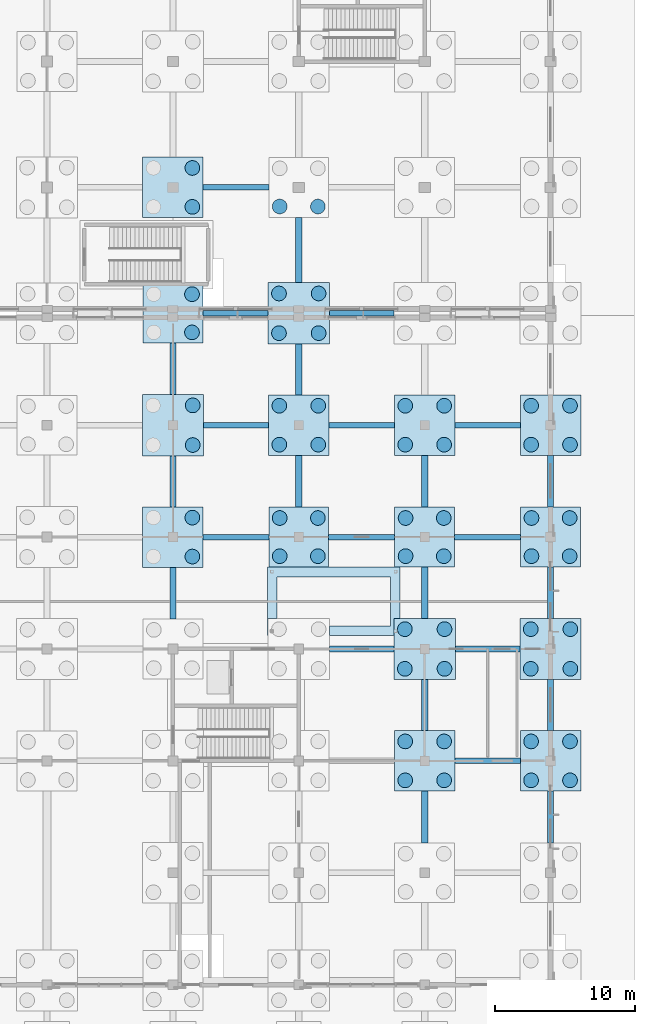
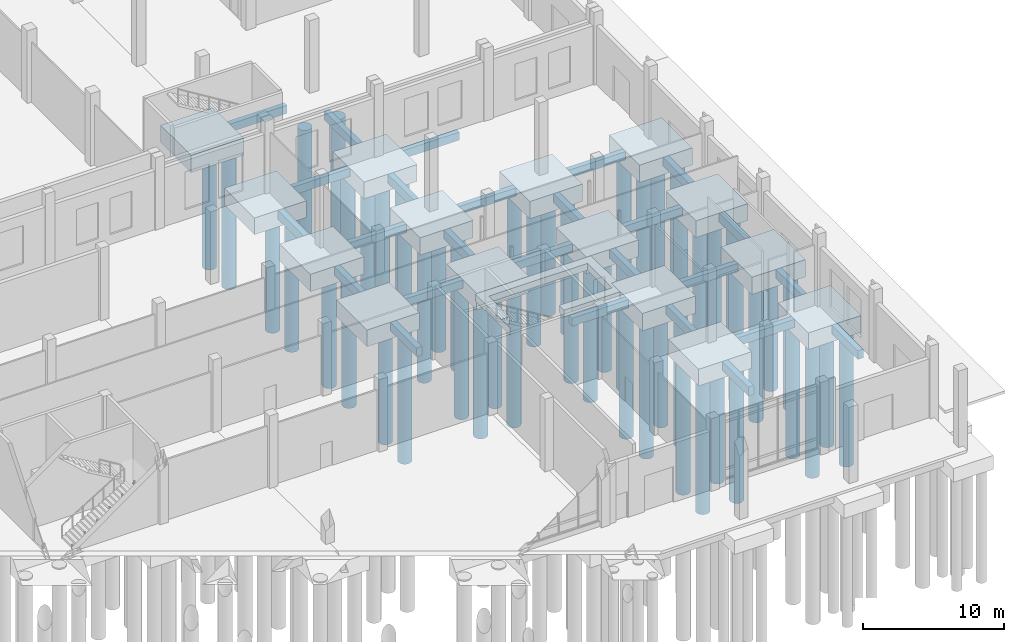
# One storey, part 17 of 99: 54 piles, 42 footings.
"""IFC4 building model written with IfcOpenShell, lengths in metres."""

import ifcopenshell
import ifcopenshell.guid

model = None  # the IFC model being written
_history = None  # IfcOwnerHistory: only IFC2X3 demands one
_inside = {}  # id of a spatial element -> (the spatial element, [elements in it])
_under = {}  # id of a project, library or spatial element -> (it, [spatial elements below it])
_declared = {}  # id of a project -> (the project, [libraries it declares])
_typed = {}  # id of a type object -> (the type object, [elements of that type])
_made_of = {}  # id of a material, layer set ... -> (it, [elements and type objects made of it])


def new_model(schema):
    """Start an empty IFC model of exactly this schema.

    Asked for "IFC4X3", IfcOpenShell would pick the latest addendum, in which some entities
    have other attributes; the version numbers below select the first issue.
    IFC2X3 requires an IfcOwnerHistory on every rooted entity: one is made here for all.
    """
    global model, _history
    if schema == "IFC4X3":
        model = ifcopenshell.file(schema_version=(4, 3, 0, 0))
    else:
        model = ifcopenshell.file(schema=schema)
    _inside.clear()
    _under.clear()
    _declared.clear()
    _typed.clear()
    _made_of.clear()
    _history = None
    if model.schema == "IFC2X3":
        org = make("IfcOrganization", Name="unknown")
        user = make(
            "IfcPersonAndOrganization",
            ThePerson=make("IfcPerson", FamilyName="unknown"),
            TheOrganization=org,
        )
        app = make(
            "IfcApplication",
            ApplicationDeveloper=org,
            Version="unknown",
            ApplicationFullName="unknown",
            ApplicationIdentifier="unknown",
        )
        _history = make(
            "IfcOwnerHistory",
            OwningUser=user,
            OwningApplication=app,
            ChangeAction="ADDED",
            CreationDate=0,
        )
    return model


def make(cls, **values):
    """One entity of the class cls with the attributes given. An attribute that is None is left unset."""
    return model.create_entity(
        cls, **{name: value for name, value in values.items() if value is not None}
    )


def rooted(cls, **values):
    """An entity with a GlobalId (a new one), such as an element, a storey or a relation."""
    return make(cls, GlobalId=ifcopenshell.guid.new(), OwnerHistory=_history, **values)


def si_unit(unit_type, name, prefix=None):
    """IfcSIUnit, for example si_unit("LENGTHUNIT", "METRE", prefix="MILLI")."""
    return make("IfcSIUnit", UnitType=unit_type, Prefix=prefix, Name=name)


def assignment(units):
    """IfcUnitAssignment: the units of a project."""
    return None if units is None else make("IfcUnitAssignment", Units=units)


def point(xyz):
    """IfcCartesianPoint."""
    return None if xyz is None else make("IfcCartesianPoint", Coordinates=xyz)


def direction(xyz):
    """IfcDirection."""
    return None if xyz is None else make("IfcDirection", DirectionRatios=xyz)


def frame(location, z_axis=None, x_axis=None):
    """IfcAxis2Placement3D, a coordinate frame: its origin and axes. An axis left out is left unset."""
    return make(
        "IfcAxis2Placement3D",
        Location=point(location),
        Axis=direction(z_axis),
        RefDirection=direction(x_axis),
    )


def frame_2d(location, x_axis=None):
    """IfcAxis2Placement2D, a coordinate frame in the plane: its origin and x axis."""
    return make(
        "IfcAxis2Placement2D", Location=point(location), RefDirection=direction(x_axis)
    )


def origin():
    """The frame at (0, 0, 0) with its axes left unset."""
    return frame((0.0, 0.0, 0.0))


def origin_2d():
    """The frame at (0, 0) in the plane with its x axis left unset."""
    return frame_2d((0.0, 0.0))


def place(relative_to, where):
    """IfcLocalPlacement: puts the frame where relative to a parent placement (None: the world)."""
    return make(
        "IfcLocalPlacement", PlacementRelTo=relative_to, RelativePlacement=where
    )


def context(
    kind, dimensions, precision=None, world=None, true_north=None, identifier=None
):
    """IfcGeometricRepresentationContext, for example the 3D "Model" context."""
    return make(
        "IfcGeometricRepresentationContext",
        ContextIdentifier=identifier,
        ContextType=kind,
        CoordinateSpaceDimension=dimensions,
        Precision=precision,
        WorldCoordinateSystem=world,
        TrueNorth=true_north,
    )


def subcontext(parent, identifier, kind, view, scale=None):
    """IfcGeometricRepresentationSubContext, for example "Body" below "Model"."""
    return make(
        "IfcGeometricRepresentationSubContext",
        ContextIdentifier=identifier,
        ContextType=kind,
        ParentContext=parent,
        TargetScale=scale,
        TargetView=view,
    )


def project(units=None, contexts=None):
    """IfcProject with its units and contexts."""
    return rooted(
        "IfcProject",
        Name="project",
        RepresentationContexts=contexts,
        UnitsInContext=assignment(units),
    )


def spatial(cls, under=None, at=None, **own):
    """A site, building, storey or space (cls), placed at a placement, below another one or the project."""
    s = rooted(cls, ObjectPlacement=at, **own)
    if under is not None:
        _under.setdefault(under.id(), (under, []))[1].append(s)
    return s


def polyline(points):
    """IfcPolyline through the points."""
    return make("IfcPolyline", Points=[point(p) for p in points])


def profile(cls, at=None, kind="AREA", **sizes):
    """A parametric profile (cls). Its sizes go by their IFC names, for example OverallWidth=200.0."""
    return make(cls, ProfileType=kind, Position=at, **sizes)


def rectangle(**sizes):
    """IfcRectangleProfileDef."""
    return profile("IfcRectangleProfileDef", **sizes)


def circle(**sizes):
    """IfcCircleProfileDef."""
    return profile("IfcCircleProfileDef", **sizes)


def outline(outer, holes=None, kind="AREA"):
    """IfcArbitraryClosedProfileDef: a profile drawn as a closed curve; with holes, ...WithVoids."""
    if holes is None:
        return make("IfcArbitraryClosedProfileDef", ProfileType=kind, OuterCurve=outer)
    return make(
        "IfcArbitraryProfileDefWithVoids",
        ProfileType=kind,
        OuterCurve=outer,
        InnerCurves=holes,
    )


def extrude(swept, where, along, depth):
    """IfcExtrudedAreaSolid: the profile swept, set in the frame where, extruded along a direction by depth."""
    return make(
        "IfcExtrudedAreaSolid",
        SweptArea=swept,
        Position=where,
        ExtrudedDirection=direction(along),
        Depth=depth,
    )


def shape(context_of_items, identifier, shape_type, items):
    """IfcShapeRepresentation: the items that make up one representation, for example the "Body"."""
    return make(
        "IfcShapeRepresentation",
        ContextOfItems=context_of_items,
        RepresentationIdentifier=identifier,
        RepresentationType=shape_type,
        Items=items,
    )


def material(Name=None, Category=None):
    """IfcMaterial."""
    return make("IfcMaterial", Name=Name, Category=Category)


def layer(
    of_material, thickness, ventilated=None, Name=None, Category=None, Priority=None
):
    """IfcMaterialLayer: one layer of a wall or slab, of a material (None: an air gap)."""
    return make(
        "IfcMaterialLayer",
        Material=of_material,
        LayerThickness=thickness,
        IsVentilated=ventilated,
        Name=Name,
        Category=Category,
        Priority=Priority,
    )


def layer_set(layers, Name=None):
    """IfcMaterialLayerSet."""
    return make("IfcMaterialLayerSet", MaterialLayers=layers, LayerSetName=Name)


def material_profile(
    of_material, cross_section, Name=None, Category=None, Priority=None
):
    """IfcMaterialProfile: a cross section and its material."""
    return make(
        "IfcMaterialProfile",
        Name=Name,
        Material=of_material,
        Profile=cross_section,
        Priority=Priority,
        Category=Category,
    )


def profile_set(profiles, Name=None, composite=None):
    """IfcMaterialProfileSet."""
    return make(
        "IfcMaterialProfileSet",
        Name=Name,
        MaterialProfiles=profiles,
        CompositeProfile=composite,
    )


def made_of(thing, what):
    """Note that an element or type object is made of a material, layer set ...; save() writes the relation."""
    if what is not None:
        _made_of.setdefault(what.id(), (what, []))[1].append(thing)
    return thing


def type_object(cls, material=None, **own):
    """A type object (cls), such as IfcWallType, which elements share."""
    return made_of(rooted(cls, **own), material)


def element(
    cls,
    number,
    at=None,
    inside=None,
    cuts=None,
    type_object=None,
    material=None,
    context=None,
    identifier="Body",
    shape_type=None,
    held_by="IfcProductDefinitionShape",
    body=None,
    shapes=None,
    **own,
):
    """One element of the class cls, such as IfcWall. Its Tag is "e" and its number.

    at: its placement. inside: the storey or other place that contains it. cuts: it is an
    opening in that element (IfcRelVoidsElement). A single representation is given by context,
    identifier, shape_type and body (its items); several are given by shapes. held_by: the class
    of the entity that holds the representations. save() writes the other relations.
    """
    e = rooted(cls, Tag="e%d" % number, ObjectPlacement=at, **own)
    if body is not None:
        shapes = [shape(context, identifier, shape_type, body)]
    if shapes is not None:
        e.Representation = make(held_by, Representations=shapes)
    if inside is not None:
        _inside.setdefault(inside.id(), (inside, []))[1].append(e)
    if cuts is not None:
        rooted(
            "IfcRelVoidsElement", RelatingBuildingElement=cuts, RelatedOpeningElement=e
        )
    if type_object is not None:
        _typed.setdefault(type_object.id(), (type_object, []))[1].append(e)
    return made_of(e, material)


def aggregate(whole, parts):
    """IfcRelAggregates: a whole, such as a stair, and the parts it consists of."""
    return rooted("IfcRelAggregates", RelatingObject=whole, RelatedObjects=parts)


def save(model, path):
    """Write the relations noted so far, then the file.

    IfcRelAggregates (storeys below a building ...), IfcRelContainedInSpatialStructure (elements
    in a storey), IfcRelDefinesByType, IfcRelAssociatesMaterial and IfcRelDeclares: one each for
    every whole, place, type object, material and project.
    """
    for whole, parts in _under.values():
        aggregate(whole, parts)
    for where, things in _inside.values():
        rooted(
            "IfcRelContainedInSpatialStructure",
            RelatedElements=things,
            RelatingStructure=where,
        )
    for kind, things in _typed.values():
        rooted("IfcRelDefinesByType", RelatedObjects=things, RelatingType=kind)
    for what, things in _made_of.values():
        rooted("IfcRelAssociatesMaterial", RelatedObjects=things, RelatingMaterial=what)
    for by, libraries in _declared.values():
        rooted("IfcRelDeclares", RelatingContext=by, RelatedDefinitions=libraries)
    model.write(path)


model = new_model("IFC4")

# Units and contexts
model_context = context("Model", 3, precision=1e-05, world=origin(), true_north=direction((0.0, 1.0)))
body_context = subcontext(model_context, "Body", "Model", "MODEL_VIEW")
ifc_project = project(units=[si_unit("LENGTHUNIT", "METRE"), si_unit("AREAUNIT", "SQUARE_METRE"), si_unit("VOLUMEUNIT", "CUBIC_METRE"), si_unit("PLANEANGLEUNIT", "RADIAN"), si_unit("MASSUNIT", "GRAM", prefix="KILO")], contexts=[model_context])

# Site, building, storey
site_placement = place(None, origin())
site = spatial("IfcSite", under=ifc_project, at=site_placement, CompositionType="ELEMENT")
building_placement = place(site_placement, origin())
building = spatial("IfcBuilding", under=site, at=building_placement, Name="Zacnel Wholesale Market", CompositionType="ELEMENT")
storey_placement = place(building_placement, origin())
storey = spatial("IfcBuildingStorey", under=building, at=storey_placement, Name="L01", CompositionType="ELEMENT", Elevation=0.0)

# Footings
ifc_material_1 = material(Name="Concrete C35/45", Category="concrete")
ifc_material_profile_1 = material_profile(ifc_material_1, rectangle(XDim=0.39990234375, YDim=0.699951171875, at=origin_2d()), Name="CT 400x700")
ifc_profile_set_1 = profile_set([ifc_material_profile_1], Name="Concrete C35/45")
footing_type_1 = type_object("IfcFootingType", Name="FTG-CT400X700", PredefinedType="FOOTING_BEAM", material=ifc_profile_set_1)
footing_1_placement = place(storey_placement, frame((209.1650390625, 16.0, -0.85009765625), z_axis=(1.0, 0.0, 0.0), x_axis=(0.0, 1.0, 0.0)))
element("IfcFooting", 1, at=footing_1_placement, inside=storey, type_object=footing_type_1, Name="Ground tie beam CT-X-0297", PredefinedType="FOOTING_BEAM", context=body_context, shape_type="SweptSolid", body=[
    extrude(rectangle(XDim=0.39990234375, YDim=0.699951171875, at=origin_2d()), origin(), (0.0, 0.0, 1.0), 4.669921875),
])
for number, where, z_axis, x_axis, name in (
    (2, (200.18994140625, 24.0, -0.85009765625), (1.0, 0.0, 0.0), (0.0, 1.0, 0.0), "Ground tie beam CT-X-0316"),
    (3, (209.18994140625, 24.0, -0.85009765625), (1.0, 0.0, 0.0), (0.0, 1.0, 0.0), "Ground tie beam CT-X-0317"),
):
    element("IfcFooting", number, at=place(storey_placement, frame(where, z_axis=z_axis, x_axis=x_axis)), inside=storey, type_object=footing_type_1, Name=name, PredefinedType="FOOTING_BEAM", context=body_context, shape_type="SweptSolid", body=[
        extrude(rectangle(XDim=0.39990234375, YDim=0.699951171875, at=origin_2d()), origin(), (0.0, 0.0, 1.0), 4.6201171875),
    ])
footing_2_placement = place(storey_placement, frame((191.1650390625, 32.0, -0.85009765625), z_axis=(1.0, 0.0, 0.0), x_axis=(0.0, 1.0, 0.0)))
element("IfcFooting", 4, at=footing_2_placement, inside=storey, type_object=footing_type_1, Name="Ground tie beam CT-X-0336", PredefinedType="FOOTING_BEAM", context=body_context, shape_type="SweptSolid", body=[
    extrude(rectangle(XDim=0.39990234375, YDim=0.699951171875, at=origin_2d()), origin(), (0.0, 0.0, 1.0), 4.695068359375),
])
for number, where, z_axis, x_axis, name in (
    (5, (200.139892578125, 32.0, -0.85009765625), (1.0, 0.0, 0.0), (0.0, 1.0, 0.0), "Ground tie beam CT-X-0337"),
    (6, (209.139892578125, 32.0, -0.85009765625), (1.0, 0.0, 0.0), (0.0, 1.0, 0.0), "Ground tie beam CT-X-0338"),
):
    element("IfcFooting", number, at=place(storey_placement, frame(where, z_axis=z_axis, x_axis=x_axis)), inside=storey, type_object=footing_type_1, Name=name, PredefinedType="FOOTING_BEAM", context=body_context, shape_type="SweptSolid", body=[
        extrude(rectangle(XDim=0.39990234375, YDim=0.699951171875, at=origin_2d()), origin(), (0.0, 0.0, 1.0), 4.72021484375),
    ])
footing_3_placement = place(storey_placement, frame((191.18994140625, 40.0, -0.85009765625), z_axis=(1.0, 0.0, 0.0), x_axis=(0.0, 1.0, 0.0)))
element("IfcFooting", 7, at=footing_3_placement, inside=storey, type_object=footing_type_1, Name="Ground tie beam CT-X-0356", PredefinedType="FOOTING_BEAM", context=body_context, shape_type="SweptSolid", body=[
    extrude(rectangle(XDim=0.39990234375, YDim=0.699951171875, at=origin_2d()), origin(), (0.0, 0.0, 1.0), 4.64501953125),
])
for number, where, z_axis, x_axis, name in (
    (8, (200.1650390625, 40.0, -0.85009765625), (1.0, 0.0, 0.0), (0.0, 1.0, 0.0), "Ground tie beam CT-X-0357"),
    (9, (209.1650390625, 40.0, -0.85009765625), (1.0, 0.0, 0.0), (0.0, 1.0, 0.0), "Ground tie beam CT-X-0358"),
):
    element("IfcFooting", number, at=place(storey_placement, frame(where, z_axis=z_axis, x_axis=x_axis)), inside=storey, type_object=footing_type_1, Name=name, PredefinedType="FOOTING_BEAM", context=body_context, shape_type="SweptSolid", body=[
        extrude(rectangle(XDim=0.39990234375, YDim=0.699951171875, at=origin_2d()), origin(), (0.0, 0.0, 1.0), 4.669921875),
    ])
footing_4_placement = place(storey_placement, frame((191.139892578125, 48.0, -0.85009765625), z_axis=(1.0, 0.0, 0.0), x_axis=(0.0, 1.0, 0.0)))
element("IfcFooting", 10, at=footing_4_placement, inside=storey, type_object=footing_type_1, Name="Ground tie beam CT-X-0378", PredefinedType="FOOTING_BEAM", context=body_context, shape_type="SweptSolid", body=[
    extrude(rectangle(XDim=0.39990234375, YDim=0.699951171875, at=origin_2d()), origin(), (0.0, 0.0, 1.0), 4.670166015625),
])
footing_5_placement = place(storey_placement, frame((200.18994140625, 48.0, -0.85009765625), z_axis=(1.0, 0.0, 0.0), x_axis=(0.0, 1.0, 0.0)))
element("IfcFooting", 11, at=footing_5_placement, inside=storey, type_object=footing_type_1, Name="Ground tie beam CT-X-0379", PredefinedType="FOOTING_BEAM", context=body_context, shape_type="SweptSolid", body=[
    extrude(rectangle(XDim=0.39990234375, YDim=0.699951171875, at=origin_2d()), origin(), (0.0, 0.0, 1.0), 4.6201171875),
])
footing_6_placement = place(storey_placement, frame((191.1650390625, 57.0, -0.85009765625), z_axis=(1.0, 0.0, 0.0), x_axis=(0.0, 1.0, 0.0)))
element("IfcFooting", 12, at=footing_6_placement, inside=storey, type_object=footing_type_1, Name="Ground tie beam CT-X-0398", PredefinedType="FOOTING_BEAM", context=body_context, shape_type="SweptSolid", body=[
    extrude(rectangle(XDim=0.39990234375, YDim=0.699951171875, at=origin_2d()), origin(), (0.0, 0.0, 1.0), 4.695068359375),
])
ifc_material_2 = material(Name="Concrete C35/45", Category="concrete")
ifc_material_profile_2 = material_profile(ifc_material_2, rectangle(XDim=0.449951171875, YDim=0.75, at=origin_2d()), Name="CT 450x750")
ifc_profile_set_2 = profile_set([ifc_material_profile_2], Name="Concrete C35/45")
footing_type_2 = type_object("IfcFootingType", Name="FTG-CT450X750", PredefinedType="FOOTING_BEAM", material=ifc_profile_set_2)
footing_7_placement = place(storey_placement, frame((189.0, 26.139892578125, -0.875), z_axis=(0.0, 1.0, 0.0), x_axis=(-1.0, 0.0, 0.0)))
element("IfcFooting", 13, at=footing_7_placement, inside=storey, type_object=footing_type_2, Name="Ground tie beam CT-Y-0198", PredefinedType="FOOTING_BEAM", context=body_context, shape_type="SweptSolid", body=[
    extrude(rectangle(XDim=0.449951171875, YDim=0.75, at=origin_2d()), origin(), (0.0, 0.0, 1.0), 3.695068359375),
])
footing_8_placement = place(storey_placement, frame((189.0, 34.1650390625, -0.875), z_axis=(0.0, 1.0, 0.0), x_axis=(-1.0, 0.0, 0.0)))
element("IfcFooting", 14, at=footing_8_placement, inside=storey, type_object=footing_type_2, Name="Ground tie beam CT-Y-0199", PredefinedType="FOOTING_BEAM", context=body_context, shape_type="SweptSolid", body=[
    extrude(rectangle(XDim=0.449951171875, YDim=0.75, at=origin_2d()), origin(), (0.0, 0.0, 1.0), 3.64501953125),
])
footing_9_placement = place(storey_placement, frame((189.0, 42.18994140625, -0.875), z_axis=(0.0, 1.0, 0.0), x_axis=(-1.0, 0.0, 0.0)))
element("IfcFooting", 15, at=footing_9_placement, inside=storey, type_object=footing_type_2, Name="Ground tie beam CT-Y-0200", PredefinedType="FOOTING_BEAM", context=body_context, shape_type="SweptSolid", body=[
    extrude(rectangle(XDim=0.449951171875, YDim=0.75, at=origin_2d()), origin(), (0.0, 0.0, 1.0), 3.670166015625),
])
footing_10_placement = place(storey_placement, frame((198.0, 34.139892578125, -0.875), z_axis=(0.0, 1.0, 0.0), x_axis=(-1.0, 0.0, 0.0)))
element("IfcFooting", 16, at=footing_10_placement, inside=storey, type_object=footing_type_2, Name="Ground tie beam CT-Y-0209", PredefinedType="FOOTING_BEAM", context=body_context, shape_type="SweptSolid", body=[
    extrude(rectangle(XDim=0.449951171875, YDim=0.75, at=origin_2d()), origin(), (0.0, 0.0, 1.0), 3.695068359375),
])
footing_11_placement = place(storey_placement, frame((198.0, 42.1650390625, -0.875), z_axis=(0.0, 1.0, 0.0), x_axis=(-1.0, 0.0, 0.0)))
element("IfcFooting", 17, at=footing_11_placement, inside=storey, type_object=footing_type_2, Name="Ground tie beam CT-Y-0210", PredefinedType="FOOTING_BEAM", context=body_context, shape_type="SweptSolid", body=[
    extrude(rectangle(XDim=0.449951171875, YDim=0.75, at=origin_2d()), origin(), (0.0, 0.0, 1.0), 3.64501953125),
])
footing_12_placement = place(storey_placement, frame((198.0, 50.18994140625, -0.875), z_axis=(0.0, 1.0, 0.0), x_axis=(-1.0, 0.0, 0.0)))
element("IfcFooting", 18, at=footing_12_placement, inside=storey, type_object=footing_type_2, Name="Ground tie beam CT-Y-0211", PredefinedType="FOOTING_BEAM", context=body_context, shape_type="SweptSolid", body=[
    extrude(rectangle(XDim=0.449951171875, YDim=0.75, at=origin_2d()), origin(), (0.0, 0.0, 1.0), 4.670166015625),
])
footing_13_placement = place(storey_placement, frame((207.0, 10.139892578125, -0.875), z_axis=(0.0, 1.0, 0.0), x_axis=(-1.0, 0.0, 0.0)))
element("IfcFooting", 19, at=footing_13_placement, inside=storey, type_object=footing_type_2, Name="Ground tie beam CT-Y-0217", PredefinedType="FOOTING_BEAM", context=body_context, shape_type="SweptSolid", body=[
    extrude(rectangle(XDim=0.449951171875, YDim=0.75, at=origin_2d()), origin(), (0.0, 0.0, 1.0), 3.695068359375),
])
footing_14_placement = place(storey_placement, frame((207.0, 18.1650390625, -0.875), z_axis=(0.0, 1.0, 0.0), x_axis=(-1.0, 0.0, 0.0)))
element("IfcFooting", 20, at=footing_14_placement, inside=storey, type_object=footing_type_2, Name="Ground tie beam CT-Y-0218", PredefinedType="FOOTING_BEAM", context=body_context, shape_type="SweptSolid", body=[
    extrude(rectangle(XDim=0.449951171875, YDim=0.75, at=origin_2d()), origin(), (0.0, 0.0, 1.0), 3.64501953125),
])
footing_15_placement = place(storey_placement, frame((207.0, 26.18994140625, -0.875), z_axis=(0.0, 1.0, 0.0), x_axis=(-1.0, 0.0, 0.0)))
element("IfcFooting", 21, at=footing_15_placement, inside=storey, type_object=footing_type_2, Name="Ground tie beam CT-Y-0219", PredefinedType="FOOTING_BEAM", context=body_context, shape_type="SweptSolid", body=[
    extrude(rectangle(XDim=0.449951171875, YDim=0.75, at=origin_2d()), origin(), (0.0, 0.0, 1.0), 3.670166015625),
])
for number, where, z_axis, x_axis, name in (
    (22, (207.0, 34.139892578125, -0.875), (0.0, 1.0, 0.0), (-1.0, 0.0, 0.0), "Ground tie beam CT-Y-0220"),
    (23, (216.0, 10.139892578125, -0.875), (0.0, 1.0, 0.0), (-1.0, 0.0, 0.0), "Ground tie beam CT-Y-0228"),
):
    element("IfcFooting", number, at=place(storey_placement, frame(where, z_axis=z_axis, x_axis=x_axis)), inside=storey, type_object=footing_type_2, Name=name, PredefinedType="FOOTING_BEAM", context=body_context, shape_type="SweptSolid", body=[
        extrude(rectangle(XDim=0.449951171875, YDim=0.75, at=origin_2d()), origin(), (0.0, 0.0, 1.0), 3.695068359375),
    ])
footing_16_placement = place(storey_placement, frame((216.0, 18.1650390625, -0.875), z_axis=(0.0, 1.0, 0.0), x_axis=(-1.0, 0.0, 0.0)))
element("IfcFooting", 24, at=footing_16_placement, inside=storey, type_object=footing_type_2, Name="Ground tie beam CT-Y-0229", PredefinedType="FOOTING_BEAM", context=body_context, shape_type="SweptSolid", body=[
    extrude(rectangle(XDim=0.449951171875, YDim=0.75, at=origin_2d()), origin(), (0.0, 0.0, 1.0), 3.64501953125),
])
footing_17_placement = place(storey_placement, frame((216.0, 26.18994140625, -0.875), z_axis=(0.0, 1.0, 0.0), x_axis=(-1.0, 0.0, 0.0)))
element("IfcFooting", 25, at=footing_17_placement, inside=storey, type_object=footing_type_2, Name="Ground tie beam CT-Y-0230", PredefinedType="FOOTING_BEAM", context=body_context, shape_type="SweptSolid", body=[
    extrude(rectangle(XDim=0.449951171875, YDim=0.75, at=origin_2d()), origin(), (0.0, 0.0, 1.0), 3.670166015625),
])
footing_18_placement = place(storey_placement, frame((216.0, 34.139892578125, -0.875), z_axis=(0.0, 1.0, 0.0), x_axis=(-1.0, 0.0, 0.0)))
element("IfcFooting", 26, at=footing_18_placement, inside=storey, type_object=footing_type_2, Name="Ground tie beam CT-Y-0231", PredefinedType="FOOTING_BEAM", context=body_context, shape_type="SweptSolid", body=[
    extrude(rectangle(XDim=0.449951171875, YDim=0.75, at=origin_2d()), origin(), (0.0, 0.0, 1.0), 3.695068359375),
])
ifc_material_3 = material(Name="Concrete C35/45", Category="concrete")
ifc_layer_1 = layer(ifc_material_3, 1.449951171875)
ifc_layer_set_1 = layer_set([ifc_layer_1], Name="Concrete C35/45")
footing_type_3 = type_object("IfcFootingType", Name="FTG-PC-4280X4280X1450", PredefinedType="PILE_CAP", material=ifc_layer_set_1)
for number, where, z_axis, x_axis, name in (
    (27, (189.0, 48.0, -1.9501953125), (0.0, 0.0, 1.0), (1.0, 0.0, 0.0), "Pile cap PC-16 (STR-PC-261)"),
    (28, (198.0, 32.0, -1.9501953125), (0.0, 0.0, 1.0), (1.0, 0.0, 0.0), "Pile cap PC-16 (STR-PC-273)"),
    (29, (207.0, 32.0, -1.9501953125), (0.0, 0.0, 1.0), (1.0, 0.0, 0.0), "Pile cap PC-16 (STR-PC-285)"),
    (30, (216.0, 32.0, -1.9501953125), (0.0, 0.0, 1.0), (1.0, 0.0, 0.0), "Pile cap PC-16 (STR-PC-297)"),
):
    element("IfcFooting", number, at=place(storey_placement, frame(where, z_axis=z_axis, x_axis=x_axis)), inside=storey, type_object=footing_type_3, Name=name, PredefinedType="PILE_CAP", context=body_context, shape_type="SweptSolid", body=[
        extrude(rectangle(XDim=4.280029296875, YDim=4.280029296875, at=origin_2d()), origin(), (0.0, 0.0, 1.0), 1.449951171875),
    ])
ifc_material_4 = material(Name="Concrete C35/45", Category="concrete")
ifc_layer_2 = layer(ifc_material_4, 1.449951171875)
ifc_layer_set_2 = layer_set([ifc_layer_2], Name="Concrete C35/45")
footing_type_4 = type_object("IfcFootingType", Name="FTG-PC-4330X4330X1450", PredefinedType="PILE_CAP", material=ifc_layer_set_2)
for number, where, z_axis, x_axis, name in (
    (31, (189.0, 32.0, -1.9501953125), (0.0, 0.0, 1.0), (1.0, 0.0, 0.0), "Pile cap PC-19 (STR-PC-259)"),
    (32, (207.0, 16.0, -1.9501953125), (0.0, 0.0, 1.0), (1.0, 0.0, 0.0), "Pile cap PC-19 (STR-PC-283)"),
    (33, (216.0, 16.0, -1.9501953125), (0.0, 0.0, 1.0), (1.0, 0.0, 0.0), "Pile cap PC-19 (STR-PC-295)"),
):
    element("IfcFooting", number, at=place(storey_placement, frame(where, z_axis=z_axis, x_axis=x_axis)), inside=storey, type_object=footing_type_4, Name=name, PredefinedType="PILE_CAP", context=body_context, shape_type="SweptSolid", body=[
        extrude(rectangle(XDim=4.330078125, YDim=4.330078125, at=origin_2d()), origin(), (0.0, 0.0, 1.0), 1.449951171875),
    ])
ifc_material_5 = material(Name="Concrete C35/45", Category="concrete")
ifc_layer_3 = layer(ifc_material_5, 1.5)
ifc_layer_set_3 = layer_set([ifc_layer_3], Name="Concrete C35/45")
footing_type_5 = type_object("IfcFootingType", Name="FTG-PC-4330X4330X1500", PredefinedType="PILE_CAP", material=ifc_layer_set_3)
for number, where, z_axis, x_axis, name in (
    (34, (189.0, 57.0, -2.0), (0.0, 0.0, 1.0), (1.0, 0.0, 0.0), "Pile cap PC-17 (STR-PC-262)"),
    (35, (198.0, 40.0, -2.0), (0.0, 0.0, 1.0), (1.0, 0.0, 0.0), "Pile cap PC-17 (STR-PC-274)"),
    (36, (207.0, 40.0, -2.0), (0.0, 0.0, 1.0), (1.0, 0.0, 0.0), "Pile cap PC-17 (STR-PC-286)"),
    (37, (216.0, 40.0, -2.0), (0.0, 0.0, 1.0), (1.0, 0.0, 0.0), "Pile cap PC-17 (STR-PC-298)"),
):
    element("IfcFooting", number, at=place(storey_placement, frame(where, z_axis=z_axis, x_axis=x_axis)), inside=storey, type_object=footing_type_5, Name=name, PredefinedType="PILE_CAP", context=body_context, shape_type="SweptSolid", body=[
        extrude(rectangle(XDim=4.330078125, YDim=4.330078125, at=origin_2d()), origin(), (0.0, 0.0, 1.0), 1.5),
    ])
ifc_material_6 = material(Name="Concrete C35/45", Category="concrete")
ifc_layer_4 = layer(ifc_material_6, 1.449951171875)
ifc_layer_set_4 = layer_set([ifc_layer_4], Name="Concrete C35/45")
footing_type_6 = type_object("IfcFootingType", Name="FTG-PC-4380X4380X1450", PredefinedType="PILE_CAP", material=ifc_layer_set_4)
footing_19_placement = place(storey_placement, frame((198.0, 48.0, -1.9501953125), z_axis=(0.0, 0.0, 1.0), x_axis=(1.0, 0.0, 0.0)))
element("IfcFooting", 38, at=footing_19_placement, inside=storey, type_object=footing_type_6, Name="Pile cap PC-14 (STR-PC-275)", PredefinedType="PILE_CAP", context=body_context, shape_type="SweptSolid", body=[
    extrude(rectangle(XDim=4.3798828125, YDim=4.3798828125, at=origin_2d()), origin(), (0.0, 0.0, 1.0), 1.449951171875),
])
ifc_material_7 = material(Name="Concrete C35/45", Category="concrete")
ifc_layer_5 = layer(ifc_material_7, 1.5)
ifc_layer_set_5 = layer_set([ifc_layer_5], Name="Concrete C35/45")
footing_type_7 = type_object("IfcFootingType", Name="FTG-PC-4380X4380X1500", PredefinedType="PILE_CAP", material=ifc_layer_set_5)
for number, where, z_axis, x_axis, name in (
    (39, (189.0, 40.0, -2.0), (0.0, 0.0, 1.0), (1.0, 0.0, 0.0), "Pile cap PC-18 (STR-PC-260)"),
    (40, (207.0, 24.0, -2.0), (0.0, 0.0, 1.0), (1.0, 0.0, 0.0), "Pile cap PC-18 (STR-PC-284)"),
    (41, (216.0, 24.0, -2.0), (0.0, 0.0, 1.0), (1.0, 0.0, 0.0), "Pile cap PC-18 (STR-PC-296)"),
):
    element("IfcFooting", number, at=place(storey_placement, frame(where, z_axis=z_axis, x_axis=x_axis)), inside=storey, type_object=footing_type_7, Name=name, PredefinedType="PILE_CAP", context=body_context, shape_type="SweptSolid", body=[
        extrude(rectangle(XDim=4.3798828125, YDim=4.3798828125, at=origin_2d()), origin(), (0.0, 0.0, 1.0), 1.5),
    ])
ifc_material_8 = material(Name="Concrete C35/45", Category="concrete")
ifc_layer_6 = layer(ifc_material_8, 0.60009765625)
ifc_layer_set_6 = layer_set([ifc_layer_6], Name="Concrete C35/45")
footing_type_8 = type_object("IfcFootingType", Name="FTG-STRIP-600X600", PredefinedType="STRIP_FOOTING", material=ifc_layer_set_6)
footing_20_placement = place(storey_placement, frame((0.0, 0.0, -1.10009765625)))
element("IfcFooting", 42, at=footing_20_placement, inside=storey, type_object=footing_type_8, Name="Stair ST-26 shaft strip footing", PredefinedType="STRIP_FOOTING", context=body_context, shape_type="SweptSolid", body=[
    extrude(outline(polyline([(205.25, 29.85009765625), (205.25, 26.19189453125), (204.81005859375, 26.19189453125), (204.809814453125, 26.19189453125), (204.8095703125, 26.19189453125), (204.809326171875, 26.19189453125), (204.80908203125, 26.19189453125), (204.80908203125, 26.19189453125), (204.808837890625, 26.191650390625), (204.80859375, 26.19140625), (204.80859375, 26.19140625), (204.80859375, 26.19140625), (204.808349609375, 26.191162109375), (204.80810546875, 26.19091796875), (204.80810546875, 26.19091796875), (204.80810546875, 26.190673828125), (204.80810546875, 26.1904296875), (204.80810546875, 26.190185546875), (204.80810546875, 26.18994140625), (204.80810546875, 24.949951171875), (200.19189453125, 24.949951171875), (200.19189453125, 25.64990234375), (204.550048828125, 25.64990234375), (204.550048828125, 29.14990234375), (196.449951171875, 29.14990234375), (196.449951171875, 26.19189453125), (195.81005859375, 26.19189453125), (195.809814453125, 26.19189453125), (195.8095703125, 26.19189453125), (195.809326171875, 26.19189453125), (195.80908203125, 26.19189453125), (195.80908203125, 26.19189453125), (195.808837890625, 26.191650390625), (195.80859375, 26.19140625), (195.80859375, 26.19140625), (195.80859375, 26.19140625), (195.808349609375, 26.191162109375), (195.80810546875, 26.19091796875), (195.80810546875, 26.19091796875), (195.80810546875, 26.190673828125), (195.80810546875, 26.1904296875), (195.80810546875, 26.190185546875), (195.80810546875, 26.18994140625), (195.80810546875, 24.949951171875), (195.75, 24.949951171875), (195.75, 29.85009765625), (205.25, 29.85009765625)])), origin(), (0.0, 0.0, 1.0), 0.60009765625),
])

# Piles
ifc_material_9 = material(Name="Concrete C35/45", Category="concrete")
ifc_material_profile_3 = material_profile(ifc_material_9, circle(Radius=0.52490234375, at=origin_2d()), Name="BORED PILE D1050")
ifc_profile_set_3 = profile_set([ifc_material_profile_3], Name="Concrete C35/45")
pile_type = type_object("IfcPileType", Name="PILE-BORED-1050", PredefinedType="BORED", material=ifc_profile_set_3)
for number, where, z_axis, x_axis, name in (
    (43, (190.3916015625, 30.6083984375, -1.85009765625), (0.0, 0.0, -1.0), (1.0, 0.0, 0.0), "Bored pile STR-PILE-259-03"),
    (44, (190.3916015625, 33.3916015625, -1.85009765625), (0.0, 0.0, -1.0), (1.0, 0.0, 0.0), "Bored pile STR-PILE-259-04"),
):
    element("IfcPile", number, at=place(storey_placement, frame(where, z_axis=z_axis, x_axis=x_axis)), inside=storey, type_object=pile_type, Name=name, PredefinedType="BORED", context=body_context, shape_type="SweptSolid", body=[
        extrude(circle(Radius=0.52490234375, at=origin_2d()), origin(), (0.0, 0.0, 1.0), 11.64990234375),
    ])
for number, where, z_axis, x_axis, name in (
    (45, (190.41748046875, 38.58251953125, -1.89990234375), (0.0, 0.0, -1.0), (1.0, 0.0, 0.0), "Bored pile STR-PILE-260-03"),
    (46, (190.41748046875, 41.41748046875, -1.89990234375), (0.0, 0.0, -1.0), (1.0, 0.0, 0.0), "Bored pile STR-PILE-260-04"),
):
    element("IfcPile", number, at=place(storey_placement, frame(where, z_axis=z_axis, x_axis=x_axis)), inside=storey, type_object=pile_type, Name=name, PredefinedType="BORED", context=body_context, shape_type="SweptSolid", body=[
        extrude(circle(Radius=0.52490234375, at=origin_2d()), origin(), (0.0, 0.0, 1.0), 11.60009765625),
    ])
for number, where, z_axis, x_axis, name in (
    (47, (190.364990234375, 46.635009765625, -1.85009765625), (0.0, 0.0, -1.0), (1.0, 0.0, 0.0), "Bored pile STR-PILE-261-03"),
    (48, (190.364990234375, 49.364990234375, -1.85009765625), (0.0, 0.0, -1.0), (1.0, 0.0, 0.0), "Bored pile STR-PILE-261-04"),
):
    element("IfcPile", number, at=place(storey_placement, frame(where, z_axis=z_axis, x_axis=x_axis)), inside=storey, type_object=pile_type, Name=name, PredefinedType="BORED", context=body_context, shape_type="SweptSolid", body=[
        extrude(circle(Radius=0.52490234375, at=origin_2d()), origin(), (0.0, 0.0, 1.0), 11.64990234375),
    ])
for number, where, z_axis, x_axis, name in (
    (49, (190.3916015625, 55.6083984375, -1.89990234375), (0.0, 0.0, -1.0), (1.0, 0.0, 0.0), "Bored pile STR-PILE-262-03"),
    (50, (190.3916015625, 58.3916015625, -1.89990234375), (0.0, 0.0, -1.0), (1.0, 0.0, 0.0), "Bored pile STR-PILE-262-04"),
):
    element("IfcPile", number, at=place(storey_placement, frame(where, z_axis=z_axis, x_axis=x_axis)), inside=storey, type_object=pile_type, Name=name, PredefinedType="BORED", context=body_context, shape_type="SweptSolid", body=[
        extrude(circle(Radius=0.52490234375, at=origin_2d()), origin(), (0.0, 0.0, 1.0), 11.60009765625),
    ])
for number, where, z_axis, x_axis, name in (
    (51, (196.635009765625, 30.635009765625, -1.85009765625), (0.0, 0.0, -1.0), (1.0, 0.0, 0.0), "Bored pile STR-PILE-273-01"),
    (52, (196.635009765625, 33.364990234375, -1.85009765625), (0.0, 0.0, -1.0), (1.0, 0.0, 0.0), "Bored pile STR-PILE-273-02"),
    (53, (199.364990234375, 30.635009765625, -1.85009765625), (0.0, 0.0, -1.0), (1.0, 0.0, 0.0), "Bored pile STR-PILE-273-03"),
    (54, (199.364990234375, 33.364990234375, -1.85009765625), (0.0, 0.0, -1.0), (1.0, 0.0, 0.0), "Bored pile STR-PILE-273-04"),
):
    element("IfcPile", number, at=place(storey_placement, frame(where, z_axis=z_axis, x_axis=x_axis)), inside=storey, type_object=pile_type, Name=name, PredefinedType="BORED", context=body_context, shape_type="SweptSolid", body=[
        extrude(circle(Radius=0.52490234375, at=origin_2d()), origin(), (0.0, 0.0, 1.0), 11.64990234375),
    ])
for number, where, z_axis, x_axis, name in (
    (55, (196.6083984375, 38.6083984375, -1.89990234375), (0.0, 0.0, -1.0), (1.0, 0.0, 0.0), "Bored pile STR-PILE-274-01"),
    (56, (196.6083984375, 41.3916015625, -1.89990234375), (0.0, 0.0, -1.0), (1.0, 0.0, 0.0), "Bored pile STR-PILE-274-02"),
    (57, (199.3916015625, 38.6083984375, -1.89990234375), (0.0, 0.0, -1.0), (1.0, 0.0, 0.0), "Bored pile STR-PILE-274-03"),
    (58, (199.3916015625, 41.3916015625, -1.89990234375), (0.0, 0.0, -1.0), (1.0, 0.0, 0.0), "Bored pile STR-PILE-274-04"),
):
    element("IfcPile", number, at=place(storey_placement, frame(where, z_axis=z_axis, x_axis=x_axis)), inside=storey, type_object=pile_type, Name=name, PredefinedType="BORED", context=body_context, shape_type="SweptSolid", body=[
        extrude(circle(Radius=0.52490234375, at=origin_2d()), origin(), (0.0, 0.0, 1.0), 11.60009765625),
    ])
for number, where, z_axis, x_axis, name in (
    (59, (196.58251953125, 46.58251953125, -1.85009765625), (0.0, 0.0, -1.0), (1.0, 0.0, 0.0), "Bored pile STR-PILE-275-01"),
    (60, (196.58251953125, 49.41748046875, -1.85009765625), (0.0, 0.0, -1.0), (1.0, 0.0, 0.0), "Bored pile STR-PILE-275-02"),
    (61, (199.41748046875, 46.58251953125, -1.85009765625), (0.0, 0.0, -1.0), (1.0, 0.0, 0.0), "Bored pile STR-PILE-275-03"),
    (62, (199.41748046875, 49.41748046875, -1.85009765625), (0.0, 0.0, -1.0), (1.0, 0.0, 0.0), "Bored pile STR-PILE-275-04"),
):
    element("IfcPile", number, at=place(storey_placement, frame(where, z_axis=z_axis, x_axis=x_axis)), inside=storey, type_object=pile_type, Name=name, PredefinedType="BORED", context=body_context, shape_type="SweptSolid", body=[
        extrude(circle(Radius=0.52490234375, at=origin_2d()), origin(), (0.0, 0.0, 1.0), 11.64990234375),
    ])
for number, where, z_axis, x_axis, name in (
    (63, (196.635009765625, 55.635009765625, -1.89990234375), (0.0, 0.0, -1.0), (1.0, 0.0, 0.0), "Bored pile STR-PILE-276-01"),
    (64, (199.364990234375, 55.635009765625, -1.89990234375), (0.0, 0.0, -1.0), (1.0, 0.0, 0.0), "Bored pile STR-PILE-276-03"),
):
    element("IfcPile", number, at=place(storey_placement, frame(where, z_axis=z_axis, x_axis=x_axis)), inside=storey, type_object=pile_type, Name=name, PredefinedType="BORED", context=body_context, shape_type="SweptSolid", body=[
        extrude(circle(Radius=0.52490234375, at=origin_2d()), origin(), (0.0, 0.0, 1.0), 11.60009765625),
    ])
for number, where, z_axis, x_axis, name in (
    (65, (205.6083984375, 14.6083984375, -1.85009765625), (0.0, 0.0, -1.0), (1.0, 0.0, 0.0), "Bored pile STR-PILE-283-01"),
    (66, (205.6083984375, 17.3916015625, -1.85009765625), (0.0, 0.0, -1.0), (1.0, 0.0, 0.0), "Bored pile STR-PILE-283-02"),
    (67, (208.3916015625, 14.6083984375, -1.85009765625), (0.0, 0.0, -1.0), (1.0, 0.0, 0.0), "Bored pile STR-PILE-283-03"),
    (68, (208.3916015625, 17.3916015625, -1.85009765625), (0.0, 0.0, -1.0), (1.0, 0.0, 0.0), "Bored pile STR-PILE-283-04"),
):
    element("IfcPile", number, at=place(storey_placement, frame(where, z_axis=z_axis, x_axis=x_axis)), inside=storey, type_object=pile_type, Name=name, PredefinedType="BORED", context=body_context, shape_type="SweptSolid", body=[
        extrude(circle(Radius=0.52490234375, at=origin_2d()), origin(), (0.0, 0.0, 1.0), 11.64990234375),
    ])
for number, where, z_axis, x_axis, name in (
    (69, (205.58251953125, 22.58251953125, -1.89990234375), (0.0, 0.0, -1.0), (1.0, 0.0, 0.0), "Bored pile STR-PILE-284-01"),
    (70, (205.58251953125, 25.41748046875, -1.89990234375), (0.0, 0.0, -1.0), (1.0, 0.0, 0.0), "Bored pile STR-PILE-284-02"),
    (71, (208.41748046875, 22.58251953125, -1.89990234375), (0.0, 0.0, -1.0), (1.0, 0.0, 0.0), "Bored pile STR-PILE-284-03"),
    (72, (208.41748046875, 25.41748046875, -1.89990234375), (0.0, 0.0, -1.0), (1.0, 0.0, 0.0), "Bored pile STR-PILE-284-04"),
):
    element("IfcPile", number, at=place(storey_placement, frame(where, z_axis=z_axis, x_axis=x_axis)), inside=storey, type_object=pile_type, Name=name, PredefinedType="BORED", context=body_context, shape_type="SweptSolid", body=[
        extrude(circle(Radius=0.52490234375, at=origin_2d()), origin(), (0.0, 0.0, 1.0), 11.60009765625),
    ])
for number, where, z_axis, x_axis, name in (
    (73, (205.635009765625, 30.635009765625, -1.85009765625), (0.0, 0.0, -1.0), (1.0, 0.0, 0.0), "Bored pile STR-PILE-285-01"),
    (74, (205.635009765625, 33.364990234375, -1.85009765625), (0.0, 0.0, -1.0), (1.0, 0.0, 0.0), "Bored pile STR-PILE-285-02"),
    (75, (208.364990234375, 30.635009765625, -1.85009765625), (0.0, 0.0, -1.0), (1.0, 0.0, 0.0), "Bored pile STR-PILE-285-03"),
    (76, (208.364990234375, 33.364990234375, -1.85009765625), (0.0, 0.0, -1.0), (1.0, 0.0, 0.0), "Bored pile STR-PILE-285-04"),
):
    element("IfcPile", number, at=place(storey_placement, frame(where, z_axis=z_axis, x_axis=x_axis)), inside=storey, type_object=pile_type, Name=name, PredefinedType="BORED", context=body_context, shape_type="SweptSolid", body=[
        extrude(circle(Radius=0.52490234375, at=origin_2d()), origin(), (0.0, 0.0, 1.0), 11.64990234375),
    ])
for number, where, z_axis, x_axis, name in (
    (77, (205.6083984375, 38.6083984375, -1.89990234375), (0.0, 0.0, -1.0), (1.0, 0.0, 0.0), "Bored pile STR-PILE-286-01"),
    (78, (205.6083984375, 41.3916015625, -1.89990234375), (0.0, 0.0, -1.0), (1.0, 0.0, 0.0), "Bored pile STR-PILE-286-02"),
    (79, (208.3916015625, 38.6083984375, -1.89990234375), (0.0, 0.0, -1.0), (1.0, 0.0, 0.0), "Bored pile STR-PILE-286-03"),
    (80, (208.3916015625, 41.3916015625, -1.89990234375), (0.0, 0.0, -1.0), (1.0, 0.0, 0.0), "Bored pile STR-PILE-286-04"),
):
    element("IfcPile", number, at=place(storey_placement, frame(where, z_axis=z_axis, x_axis=x_axis)), inside=storey, type_object=pile_type, Name=name, PredefinedType="BORED", context=body_context, shape_type="SweptSolid", body=[
        extrude(circle(Radius=0.52490234375, at=origin_2d()), origin(), (0.0, 0.0, 1.0), 11.60009765625),
    ])
for number, where, z_axis, x_axis, name in (
    (81, (214.6083984375, 14.6083984375, -1.85009765625), (0.0, 0.0, -1.0), (1.0, 0.0, 0.0), "Bored pile STR-PILE-295-01"),
    (82, (214.6083984375, 17.3916015625, -1.85009765625), (0.0, 0.0, -1.0), (1.0, 0.0, 0.0), "Bored pile STR-PILE-295-02"),
    (83, (217.3916015625, 14.6083984375, -1.85009765625), (0.0, 0.0, -1.0), (1.0, 0.0, 0.0), "Bored pile STR-PILE-295-03"),
    (84, (217.3916015625, 17.3916015625, -1.85009765625), (0.0, 0.0, -1.0), (1.0, 0.0, 0.0), "Bored pile STR-PILE-295-04"),
):
    element("IfcPile", number, at=place(storey_placement, frame(where, z_axis=z_axis, x_axis=x_axis)), inside=storey, type_object=pile_type, Name=name, PredefinedType="BORED", context=body_context, shape_type="SweptSolid", body=[
        extrude(circle(Radius=0.52490234375, at=origin_2d()), origin(), (0.0, 0.0, 1.0), 11.64990234375),
    ])
for number, where, z_axis, x_axis, name in (
    (85, (214.58251953125, 22.58251953125, -1.89990234375), (0.0, 0.0, -1.0), (1.0, 0.0, 0.0), "Bored pile STR-PILE-296-01"),
    (86, (214.58251953125, 25.41748046875, -1.89990234375), (0.0, 0.0, -1.0), (1.0, 0.0, 0.0), "Bored pile STR-PILE-296-02"),
    (87, (217.41748046875, 22.58251953125, -1.89990234375), (0.0, 0.0, -1.0), (1.0, 0.0, 0.0), "Bored pile STR-PILE-296-03"),
    (88, (217.41748046875, 25.41748046875, -1.89990234375), (0.0, 0.0, -1.0), (1.0, 0.0, 0.0), "Bored pile STR-PILE-296-04"),
):
    element("IfcPile", number, at=place(storey_placement, frame(where, z_axis=z_axis, x_axis=x_axis)), inside=storey, type_object=pile_type, Name=name, PredefinedType="BORED", context=body_context, shape_type="SweptSolid", body=[
        extrude(circle(Radius=0.52490234375, at=origin_2d()), origin(), (0.0, 0.0, 1.0), 11.60009765625),
    ])
for number, where, z_axis, x_axis, name in (
    (89, (214.635009765625, 30.635009765625, -1.85009765625), (0.0, 0.0, -1.0), (1.0, 0.0, 0.0), "Bored pile STR-PILE-297-01"),
    (90, (214.635009765625, 33.364990234375, -1.85009765625), (0.0, 0.0, -1.0), (1.0, 0.0, 0.0), "Bored pile STR-PILE-297-02"),
    (91, (217.364990234375, 30.635009765625, -1.85009765625), (0.0, 0.0, -1.0), (1.0, 0.0, 0.0), "Bored pile STR-PILE-297-03"),
    (92, (217.364990234375, 33.364990234375, -1.85009765625), (0.0, 0.0, -1.0), (1.0, 0.0, 0.0), "Bored pile STR-PILE-297-04"),
):
    element("IfcPile", number, at=place(storey_placement, frame(where, z_axis=z_axis, x_axis=x_axis)), inside=storey, type_object=pile_type, Name=name, PredefinedType="BORED", context=body_context, shape_type="SweptSolid", body=[
        extrude(circle(Radius=0.52490234375, at=origin_2d()), origin(), (0.0, 0.0, 1.0), 11.64990234375),
    ])
for number, where, z_axis, x_axis, name in (
    (93, (214.6083984375, 38.6083984375, -1.89990234375), (0.0, 0.0, -1.0), (1.0, 0.0, 0.0), "Bored pile STR-PILE-298-01"),
    (94, (214.6083984375, 41.3916015625, -1.89990234375), (0.0, 0.0, -1.0), (1.0, 0.0, 0.0), "Bored pile STR-PILE-298-02"),
    (95, (217.3916015625, 38.6083984375, -1.89990234375), (0.0, 0.0, -1.0), (1.0, 0.0, 0.0), "Bored pile STR-PILE-298-03"),
    (96, (217.3916015625, 41.3916015625, -1.89990234375), (0.0, 0.0, -1.0), (1.0, 0.0, 0.0), "Bored pile STR-PILE-298-04"),
):
    element("IfcPile", number, at=place(storey_placement, frame(where, z_axis=z_axis, x_axis=x_axis)), inside=storey, type_object=pile_type, Name=name, PredefinedType="BORED", context=body_context, shape_type="SweptSolid", body=[
        extrude(circle(Radius=0.52490234375, at=origin_2d()), origin(), (0.0, 0.0, 1.0), 11.60009765625),
    ])

save(model, "model.ifc")
